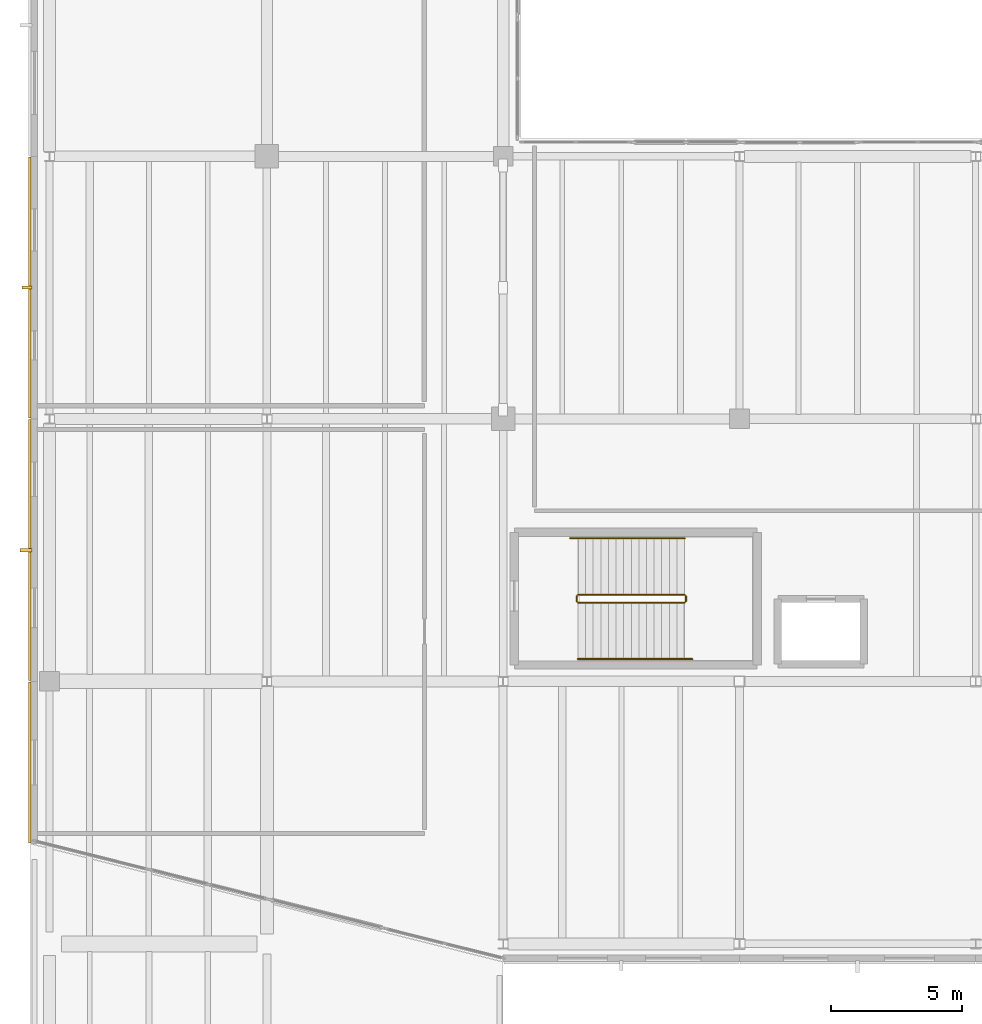
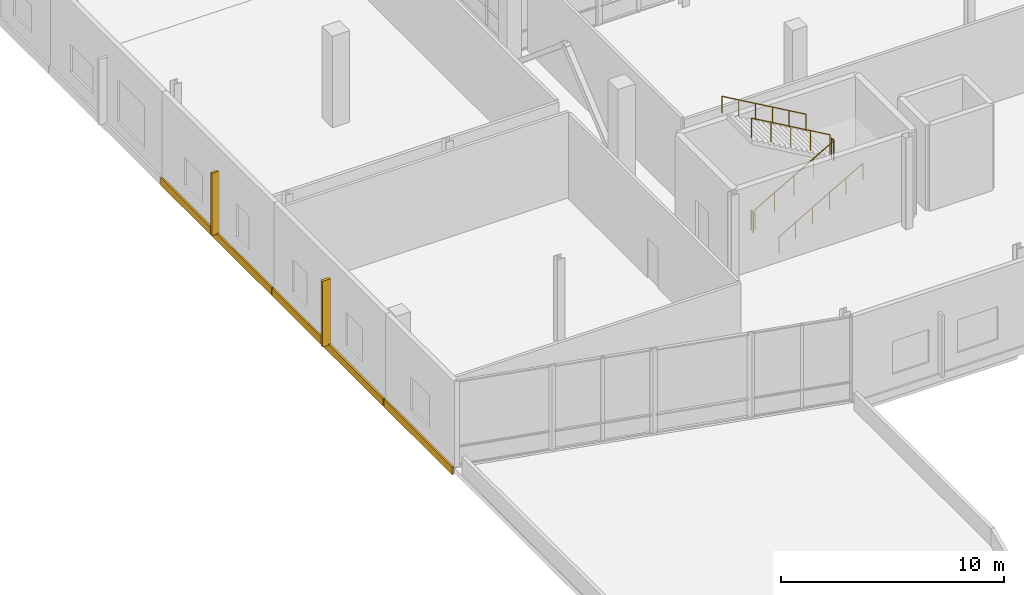
# One storey, part 69 of 81: 6 railings, 3 coverings, 2 shading devices.
"""IFC4 building model written with IfcOpenShell, lengths in metres."""

from ifc_helpers import new_model, si_unit, direction, frame, origin, origin_2d, place, context, subcontext, project, spatial, rectangle, circle, extrude, material, layer, layer_set, type_object, element, save


model = new_model("IFC4")

# Units and contexts
model_context = context("Model", 3, precision=1e-05, world=origin(), true_north=direction((0.0, 1.0)))
body_context = subcontext(model_context, "Body", "Model", "MODEL_VIEW")
ifc_project = project(units=[si_unit("LENGTHUNIT", "METRE"), si_unit("AREAUNIT", "SQUARE_METRE"), si_unit("VOLUMEUNIT", "CUBIC_METRE"), si_unit("PLANEANGLEUNIT", "RADIAN"), si_unit("MASSUNIT", "GRAM", prefix="KILO")], contexts=[model_context])

# Site, building, storey
site_placement = place(None, origin())
site = spatial("IfcSite", under=ifc_project, at=site_placement, CompositionType="ELEMENT")
building_placement = place(site_placement, origin())
building = spatial("IfcBuilding", under=site, at=building_placement, Name="Trimount Lyric Opera House", CompositionType="ELEMENT")
storey_placement = place(building_placement, frame((0.0, 0.0, 5.0)))
storey = spatial("IfcBuildingStorey", under=building, at=storey_placement, Name="L01", CompositionType="ELEMENT", Elevation=5.0)

# Coverings
ifc_material_1 = material(Name="Architectural Precast Concrete Spandrel Band", Category="concrete")
ifc_layer = layer(ifc_material_1, 0.094970703125)
ifc_layer_set = layer_set([ifc_layer], Name="CLD-WING1")
covering_type = type_object("IfcCoveringType", Name="CLD-WING1", PredefinedType="CLADDING", material=ifc_layer_set)
covering_placement = place(storey_placement, frame((-0.04150390625, 50.909912109375, -0.369873046875), z_axis=(0.0, 0.0, 1.0), x_axis=(0.0, 1.0, 0.0)))
element("IfcCovering", 1, at=covering_placement, inside=storey, type_object=covering_type, Name="L01 precast slab-edge spandrel 157", PredefinedType="CLADDING", context=body_context, shape_type="SweptSolid", body=[
    extrude(rectangle(XDim=6.1201171875, YDim=0.094970703125, at=origin_2d()), origin(), (0.0, 0.0, 1.0), 0.419921875),
])
for number, where, z_axis, x_axis, name in (
    (2, (-0.04150390625, 59.0, -0.369873046875), (0.0, 0.0, 1.0), (0.0, 1.0, 0.0), "L01 precast slab-edge spandrel 158"),
    (3, (-0.04150390625, 69.0, -0.369873046875), (0.0, 0.0, 1.0), (0.0, 1.0, 0.0), "L01 precast slab-edge spandrel 159"),
):
    element("IfcCovering", number, at=place(storey_placement, frame(where, z_axis=z_axis, x_axis=x_axis)), inside=storey, type_object=covering_type, Name=name, PredefinedType="CLADDING", context=body_context, shape_type="SweptSolid", body=[
        extrude(rectangle(XDim=9.93994140625, YDim=0.094970703125, at=origin_2d()), origin(), (0.0, 0.0, 1.0), 0.419921875),
    ])

# Railings
ifc_material_2 = material(Name="Brushed Stainless Steel 316", Category="steel")
railing_type_1 = type_object("IfcRailingType", Name="RL-GRD110", PredefinedType="GUARDRAIL", material=ifc_material_2)
railing_1_placement = place(storey_placement, frame((20.85009765625, 57.0, 0.166748046875)))
element("IfcRailing", 4, at=railing_1_placement, inside=storey, type_object=railing_type_1, Name="L01 ST-06 stair guard 1", PredefinedType="GUARDRAIL", context=body_context, shape_type="SweptSolid", body=[
    extrude(circle(Radius=0.02392578125, at=origin_2d()), frame((0.0, 0.0, 1.076171875), z_axis=(0.86701161382, 0.0, 0.498287930319), x_axis=(0.0, 1.0, 0.0)), (0.0, 0.0, 1.0), 4.6826171875),
    extrude(circle(Radius=0.02099609375, at=origin_2d()), origin(), (0.0, 0.0, 1.0), 1.052001953125),
    extrude(circle(Radius=0.02099609375, at=origin_2d()), frame((1.014892578125, 0.0, 0.583251953125)), (0.0, 0.0, 1.0), 1.052001953125),
    extrude(circle(Radius=0.02099609375, at=origin_2d()), frame((2.02978515625, 0.0, 1.16650390625)), (0.0, 0.0, 1.0), 1.052001953125),
    extrude(circle(Radius=0.02099609375, at=origin_2d()), frame((3.044921875, 0.0, 1.75)), (0.0, 0.0, 1.0), 1.052001953125),
    extrude(circle(Radius=0.02099609375, at=origin_2d()), frame((4.059814453125, 0.0, 2.333251953125)), (0.0, 0.0, 1.0), 1.052001953125),
])
railing_2_placement = place(storey_placement, frame((24.9599609375, 57.050048828125, 2.5)))
element("IfcRailing", 5, at=railing_2_placement, inside=storey, type_object=railing_type_1, Name="L01 ST-06 stair guard 2", PredefinedType="GUARDRAIL", context=body_context, shape_type="SweptSolid", body=[
    extrude(circle(Radius=0.02392578125, at=origin_2d()), frame((0.0, 0.0, 1.076171875), z_axis=(0.0, 1.0, 0.0), x_axis=(-1.0, 0.0, 0.0)), (0.0, 0.0, 1.0), 0.199951171875),
    extrude(circle(Radius=0.02099609375, at=origin_2d()), origin(), (0.0, 0.0, 1.0), 1.052001953125),
    extrude(circle(Radius=0.02099609375, at=origin_2d()), frame((0.0, 0.199951171875, 0.0)), (0.0, 0.0, 1.0), 1.052001953125),
])
railing_3_placement = place(storey_placement, frame((24.909912109375, 57.300048828125, 2.666748046875)))
element("IfcRailing", 6, at=railing_3_placement, inside=storey, type_object=railing_type_1, Name="L01 ST-06 stair guard 3", PredefinedType="GUARDRAIL", context=body_context, shape_type="SweptSolid", body=[
    extrude(circle(Radius=0.02392578125, at=origin_2d()), frame((0.0, 0.0, 1.076171875), z_axis=(-0.86701161382, 0.0, 0.498287930319), x_axis=(0.0, -1.0, 0.0)), (0.0, 0.0, 1.0), 4.6826171875),
    extrude(circle(Radius=0.02099609375, at=origin_2d()), origin(), (0.0, 0.0, 1.0), 1.052001953125),
    extrude(circle(Radius=0.02099609375, at=origin_2d()), frame((-1.014892578125, 0.0, 0.583251953125)), (0.0, 0.0, 1.0), 1.052001953125),
    extrude(circle(Radius=0.02099609375, at=origin_2d()), frame((-2.02978515625, 0.0, 1.16650390625)), (0.0, 0.0, 1.0), 1.052001953125),
    extrude(circle(Radius=0.02099609375, at=origin_2d()), frame((-3.044921875, 0.0, 1.75)), (0.0, 0.0, 1.0), 1.052001953125),
    extrude(circle(Radius=0.02099609375, at=origin_2d()), frame((-4.059814453125, 0.0, 2.333251953125)), (0.0, 0.0, 1.0), 1.052001953125),
])
railing_4_placement = place(storey_placement, frame((20.800048828125, 57.050048828125, 0.0)))
element("IfcRailing", 7, at=railing_4_placement, inside=storey, type_object=railing_type_1, Name="L01 ST-06 stair guard 4", PredefinedType="GUARDRAIL", context=body_context, shape_type="SweptSolid", body=[
    extrude(circle(Radius=0.02392578125, at=origin_2d()), frame((0.0, 0.0, 1.076171875), z_axis=(0.0, 1.0, 0.0), x_axis=(-1.0, 0.0, 0.0)), (0.0, 0.0, 1.0), 0.199951171875),
    extrude(circle(Radius=0.02099609375, at=origin_2d()), origin(), (0.0, 0.0, 1.0), 1.052001953125),
    extrude(circle(Radius=0.02099609375, at=origin_2d()), frame((0.0, 0.199951171875, 0.0)), (0.0, 0.0, 1.0), 1.052001953125),
])
ifc_material_3 = material(Name="Brushed Stainless Steel 316", Category="steel")
railing_type_2 = type_object("IfcRailingType", Name="RL-HND092", PredefinedType="HANDRAIL", material=ifc_material_3)
railing_5_placement = place(storey_placement, frame((20.85009765625, 54.85009765625, 0.166748046875)))
element("IfcRailing", 8, at=railing_5_placement, inside=storey, type_object=railing_type_2, Name="L01 ST-06 stair handrail 1", PredefinedType="HANDRAIL", context=body_context, shape_type="SweptSolid", body=[
    extrude(circle(Radius=0.0224609375, at=origin_2d()), frame((0.0, 0.0, 0.8974609375), z_axis=(0.866754379005, 0.0, 0.498735246875), x_axis=(0.0, 1.0, 0.0)), (0.0, 0.0, 1.0), 5.0185546875),
    extrude(circle(Radius=0.02099609375, at=origin_2d()), origin(), (0.0, 0.0, 1.0), 0.875),
    extrude(circle(Radius=0.02099609375, at=origin_2d()), frame((0.869873046875, 0.0, 0.50048828125)), (0.0, 0.0, 1.0), 0.875),
    extrude(circle(Radius=0.02099609375, at=origin_2d()), frame((1.739990234375, 0.0, 1.001220703125)), (0.0, 0.0, 1.0), 0.875),
    extrude(circle(Radius=0.02099609375, at=origin_2d()), frame((2.60986328125, 0.0, 1.501708984375)), (0.0, 0.0, 1.0), 0.875),
    extrude(circle(Radius=0.02099609375, at=origin_2d()), frame((3.47998046875, 0.0, 2.00244140625)), (0.0, 0.0, 1.0), 0.875),
    extrude(circle(Radius=0.02099609375, at=origin_2d()), frame((4.349853515625, 0.0, 2.5029296875)), (0.0, 0.0, 1.0), 0.875),
])
railing_6_placement = place(storey_placement, frame((24.909912109375, 59.449951171875, 2.666748046875)))
element("IfcRailing", 9, at=railing_6_placement, inside=storey, type_object=railing_type_2, Name="L01 ST-06 stair handrail 2", PredefinedType="HANDRAIL", context=body_context, shape_type="SweptSolid", body=[
    extrude(circle(Radius=0.0224609375, at=origin_2d()), frame((0.0, 0.0, 0.8974609375), z_axis=(-0.866754379005, 0.0, 0.498735246875), x_axis=(0.0, -1.0, 0.0)), (0.0, 0.0, 1.0), 5.0185546875),
    extrude(circle(Radius=0.02099609375, at=origin_2d()), origin(), (0.0, 0.0, 1.0), 0.875),
    extrude(circle(Radius=0.02099609375, at=origin_2d()), frame((-0.869873046875, 0.0, 0.50048828125)), (0.0, 0.0, 1.0), 0.875),
    extrude(circle(Radius=0.02099609375, at=origin_2d()), frame((-1.739990234375, 0.0, 1.001220703125)), (0.0, 0.0, 1.0), 0.875),
    extrude(circle(Radius=0.02099609375, at=origin_2d()), frame((-2.60986328125, 0.0, 1.501708984375)), (0.0, 0.0, 1.0), 0.875),
    extrude(circle(Radius=0.02099609375, at=origin_2d()), frame((-3.47998046875, 0.0, 2.00244140625)), (0.0, 0.0, 1.0), 0.875),
    extrude(circle(Radius=0.02099609375, at=origin_2d()), frame((-4.349853515625, 0.0, 2.5029296875)), (0.0, 0.0, 1.0), 0.875),
])

# Shading devices
ifc_material_4 = material(Name="Extruded Bronze Vertical Acoustic Fin")
shading_device_type_1 = type_object("IfcShadingDeviceType", Name="SHD-FIN1", PredefinedType="USERDEFINED", material=ifc_material_4)
shading_device_1_placement = place(storey_placement, frame((-0.179931640625, 59.0, 0.0), z_axis=(0.0, 0.0, 1.0), x_axis=(1.0, 0.0, 0.0)))
element("IfcShadingDevice", 10, at=shading_device_1_placement, inside=storey, type_object=shading_device_type_1, Name="Vertical architectural facade fin 051", ObjectType="FIN", PredefinedType="USERDEFINED", context=body_context, shape_type="SweptSolid", body=[
    extrude(rectangle(XDim=0.449951171875, YDim=0.139892578125, at=origin_2d()), origin(), (0.0, 0.0, 1.0), 3.60009765625),
])
ifc_material_5 = material(Name="Extruded White Aluminium Sun Fin", Category="aluminium")
shading_device_type_2 = type_object("IfcShadingDeviceType", Name="SHD-FIN2", PredefinedType="USERDEFINED", material=ifc_material_5)
shading_device_2_placement = place(storey_placement, frame((-0.14501953125, 69.0, 0.0), z_axis=(0.0, 0.0, 1.0), x_axis=(1.0, 0.0, 0.0)))
element("IfcShadingDevice", 11, at=shading_device_2_placement, inside=storey, type_object=shading_device_type_2, Name="Vertical architectural facade fin 052", ObjectType="FIN", PredefinedType="USERDEFINED", context=body_context, shape_type="SweptSolid", body=[
    extrude(rectangle(XDim=0.3798828125, YDim=0.1201171875, at=origin_2d()), origin(), (0.0, 0.0, 1.0), 3.39990234375),
])

save(model, "model.ifc")
